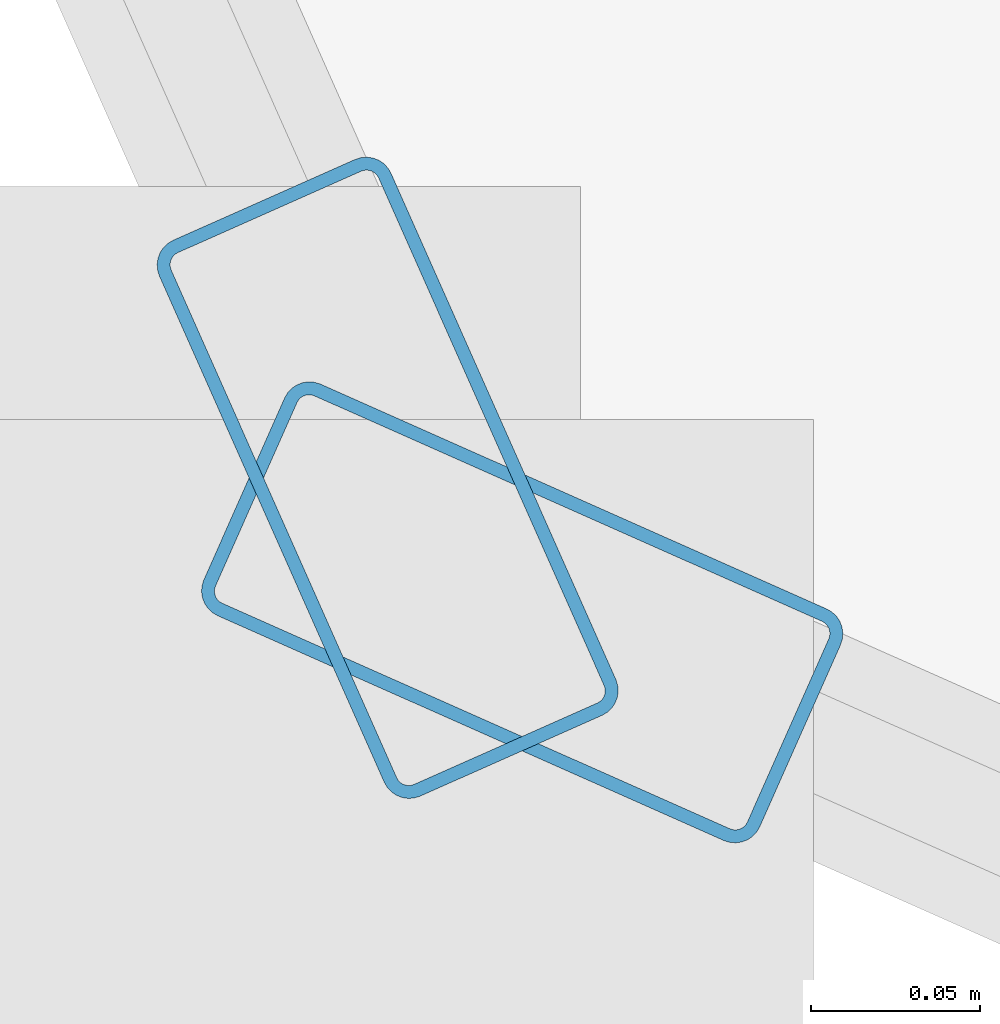
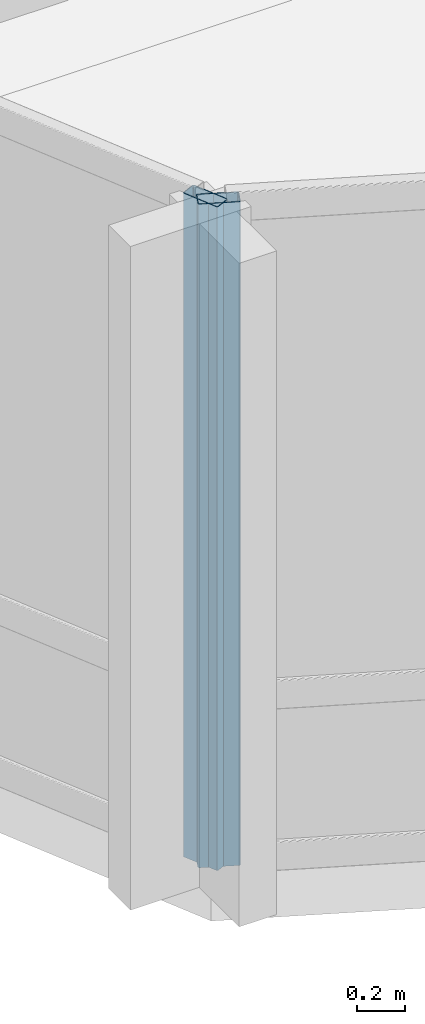
# One storey, part 2 of 34: 2 members, 2 elements without a shape of their own.
"""IFC4 building model written with IfcOpenShell, lengths in metres."""

from ifc_helpers import new_model, si_unit, direction, frame, origin, origin_2d, place, context, subcontext, project, spatial, hollow_rectangle, extrude, material, layer, layer_set, material_profile, profile_set, type_object, element, aggregate, save


model = new_model("IFC4")

# Units and contexts
model_context = context("Model", 3, precision=1e-05, world=origin(), true_north=direction((0.0, 1.0)))
body_context = subcontext(model_context, "Body", "Model", "MODEL_VIEW")
ifc_project = project(units=[si_unit("LENGTHUNIT", "METRE"), si_unit("AREAUNIT", "SQUARE_METRE"), si_unit("VOLUMEUNIT", "CUBIC_METRE"), si_unit("PLANEANGLEUNIT", "RADIAN"), si_unit("MASSUNIT", "GRAM", prefix="KILO")], contexts=[model_context])

# Site, building, storey
site_placement = place(None, origin())
site = spatial("IfcSite", under=ifc_project, at=site_placement, CompositionType="ELEMENT")
building_placement = place(site_placement, origin())
building = spatial("IfcBuilding", under=site, at=building_placement, Name="Solvaryn Broadcast Tower", CompositionType="ELEMENT")
storey_placement = place(building_placement, frame((0.0, 0.0, 96.5)))
storey = spatial("IfcBuildingStorey", under=building, at=storey_placement, Name="L23", CompositionType="ELEMENT", Elevation=96.5)

# Curtain wall, member
ifc_material_1 = material(Name="Aluminium and Terracotta Unitised Curtain Wall", Category="masonry")
ifc_layer = layer(ifc_material_1, 0.199951171875)
ifc_layer_set = layer_set([ifc_layer], Name="CW-SYS2-LOWMID")
curtain_wall_type = type_object("IfcCurtainWallType", Name="CW-SYS2-LOWMID", PredefinedType="NOTDEFINED", material=ifc_layer_set)
curtain_wall_1_placement = place(storey_placement, origin())
curtain_wall_1 = element("IfcCurtainWall", 1, at=curtain_wall_1_placement, inside=storey, type_object=curtain_wall_type, Name="L23 Curtain Wall DR2", PredefinedType="NOTDEFINED")
ifc_material_2 = material(Name="Anodised Aluminium 6063-T6", Category="aluminium")
ifc_material_profile = material_profile(ifc_material_2, hollow_rectangle(XDim=0.074951171875, YDim=0.179931640625, WallThickness=0.00390625, InnerFilletRadius=0.00390625, OuterFilletRadius=0.008056640625, at=origin_2d()))
ifc_profile_set = profile_set([ifc_material_profile], Name="Anodised Aluminium 6063-T6")
member_type = type_object("IfcMemberType", Name="CW-MUL-180", PredefinedType="MULLION", material=ifc_profile_set)
member_1_placement = place(storey_placement, frame((7.834716796875, 7.87451171875, 0.0), z_axis=(0.0, 0.0, 1.0), x_axis=(0.913918257271, 0.405898286554, 0.0)))
member_1 = element("IfcMember", 2, at=member_1_placement, type_object=member_type, Name="CWS2 mullion 2", PredefinedType="MULLION", context=body_context, shape_type="SweptSolid", body=[
    extrude(hollow_rectangle(XDim=0.074951171875, YDim=0.179931640625, WallThickness=0.00390625, InnerFilletRadius=0.00390625, OuterFilletRadius=0.008056640625, at=origin_2d()), origin(), (0.0, 0.0, 1.0), 3.3701171875),
])
aggregate(curtain_wall_1, [member_1])

curtain_wall_2_placement = place(storey_placement, origin())
curtain_wall_2 = element("IfcCurtainWall", 3, at=curtain_wall_2_placement, inside=storey, type_object=curtain_wall_type, Name="L23 Curtain Wall DR3", PredefinedType="NOTDEFINED")
member_2_placement = place(storey_placement, frame((7.87451171875, 7.834716796875, 0.0), z_axis=(0.0, 0.0, 1.0), x_axis=(0.405898286554, 0.913918257271, 0.0)))
member_2 = element("IfcMember", 4, at=member_2_placement, type_object=member_type, Name="CWS2 mullion 1", PredefinedType="MULLION", context=body_context, shape_type="SweptSolid", body=[
    extrude(hollow_rectangle(XDim=0.074951171875, YDim=0.179931640625, WallThickness=0.00390625, InnerFilletRadius=0.00390625, OuterFilletRadius=0.008056640625, at=origin_2d()), origin(), (0.0, 0.0, 1.0), 3.3701171875),
])
aggregate(curtain_wall_2, [member_2])

save(model, "model.ifc")
